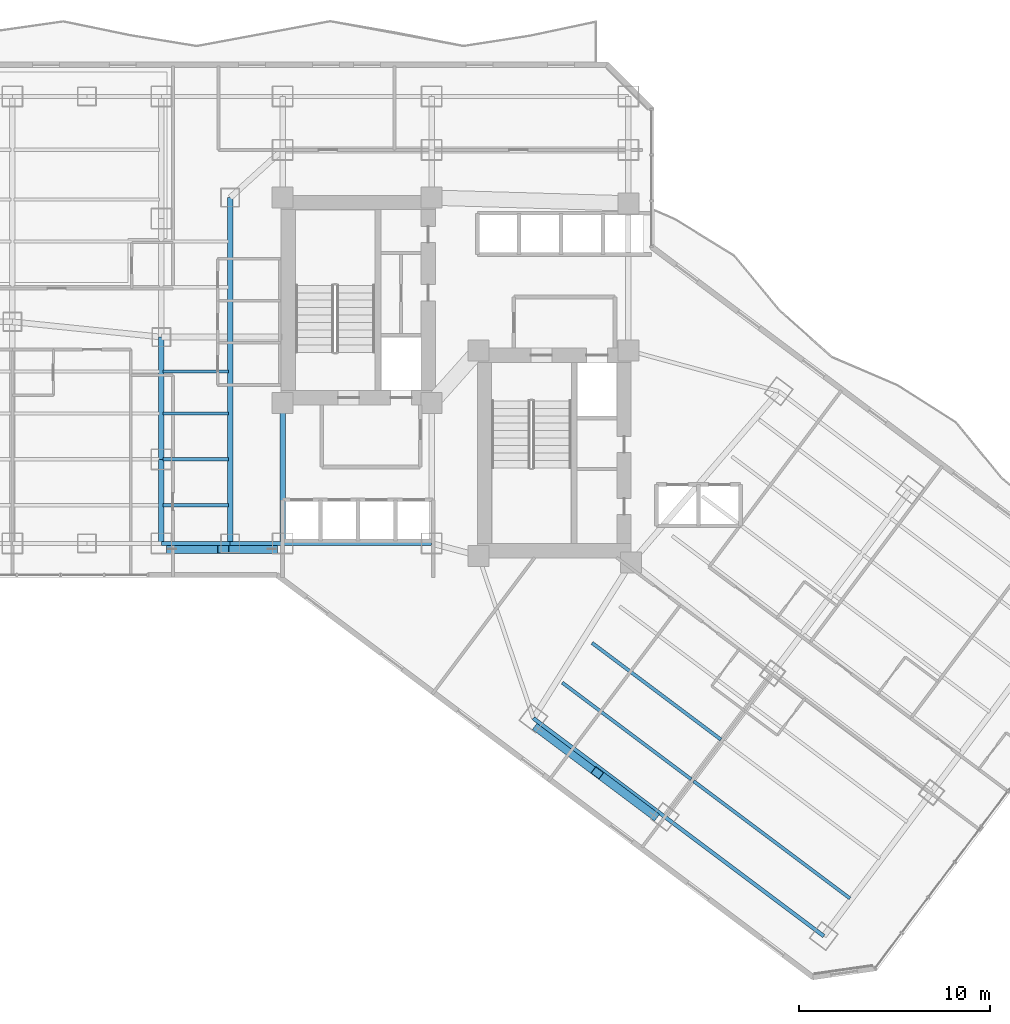
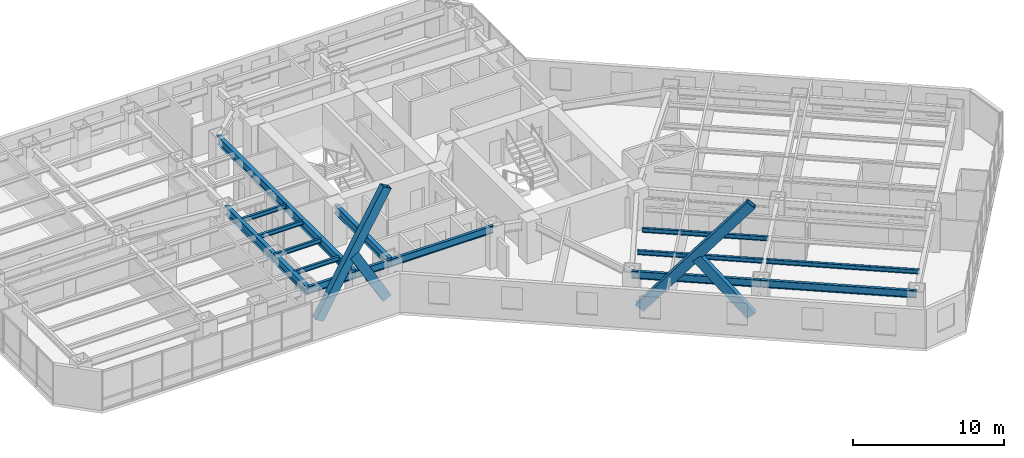
# One storey, part 7 of 33: 16 beams, 4 members.
"""IFC4 building model written with IfcOpenShell, lengths in metres."""

from ifc_helpers import new_model, si_unit, direction, frame, origin, origin_2d, place, context, subcontext, project, spatial, hollow_rectangle, i_section, extrude, material, material_profile, profile_set, type_object, element, save


model = new_model("IFC4")

# Units and contexts
model_context = context("Model", 3, precision=1e-05, world=origin(), true_north=direction((0.0, 1.0)))
body_context = subcontext(model_context, "Body", "Model", "MODEL_VIEW")
ifc_project = project(units=[si_unit("LENGTHUNIT", "METRE"), si_unit("AREAUNIT", "SQUARE_METRE"), si_unit("VOLUMEUNIT", "CUBIC_METRE"), si_unit("PLANEANGLEUNIT", "RADIAN"), si_unit("MASSUNIT", "GRAM", prefix="KILO")], contexts=[model_context])

# Site, building, storey
site_placement = place(None, origin())
site = spatial("IfcSite", under=ifc_project, at=site_placement, CompositionType="ELEMENT")
building_placement = place(site_placement, origin())
building = spatial("IfcBuilding", under=site, at=building_placement, Name="Hatsunagi Terrace Concourse", CompositionType="ELEMENT")
storey_placement = place(building_placement, frame((0.0, 0.0, 53.35009765625)))
storey = spatial("IfcBuildingStorey", under=building, at=storey_placement, Name="L13", CompositionType="ELEMENT", Elevation=53.35009765625)

# Beams
ifc_material_1 = material(Name="Steel SN490B", Category="steel")
ifc_material_profile_1 = material_profile(ifc_material_1, i_section(OverallWidth=0.300048828125, OverallDepth=0.699951171875, WebThickness=0.012939453125, FlangeThickness=0.02392578125, FilletRadius=0.02197265625, at=origin_2d()), Name="H-700x300x13x24")
ifc_profile_set_1 = profile_set([ifc_material_profile_1], Name="Steel SN490B")
beam_type_1 = type_object("IfcBeamType", Name="HotelFloorGirder_H_700x300", PredefinedType="BEAM", material=ifc_profile_set_1)
beam_1_placement = place(storey_placement, frame((25.550048828125, 25.199951171875, 2.77978515625), z_axis=(0.0, 1.0, 0.0), x_axis=(-1.0, 0.0, 0.0)))
element("IfcBeam", 1, at=beam_1_placement, inside=storey, type_object=beam_type_1, Name="Beam G-04 BM-L13-K1CA", PredefinedType="BEAM", context=body_context, shape_type="SweptSolid", body=[
    extrude(i_section(OverallWidth=0.300048828125, OverallDepth=0.699951171875, WebThickness=0.012939453125, FlangeThickness=0.02392578125, FilletRadius=0.02197265625, at=origin_2d()), origin(), (0.0, 0.0, 1.0), 7.35009765625),
])
beam_2_placement = place(storey_placement, frame((22.800048828125, 25.199951171875, 2.77978515625), z_axis=(0.0, 1.0, 0.0), x_axis=(-1.0, 0.0, 0.0)))
element("IfcBeam", 2, at=beam_2_placement, inside=storey, type_object=beam_type_1, Name="Beam G-04 BM-L13-CWNS", PredefinedType="BEAM", context=body_context, shape_type="SweptSolid", body=[
    extrude(i_section(OverallWidth=0.300048828125, OverallDepth=0.699951171875, WebThickness=0.012939453125, FlangeThickness=0.02392578125, FilletRadius=0.02197265625, at=origin_2d()), origin(), (0.0, 0.0, 1.0), 18.10009765625),
])
beam_3_placement = place(storey_placement, frame((19.199951171875, 25.199951171875, 2.77978515625), z_axis=(0.0, 1.0, 0.0), x_axis=(-1.0, 0.0, 0.0)))
element("IfcBeam", 3, at=beam_3_placement, inside=storey, type_object=beam_type_1, Name="Beam G-04 BM-L13-NS-19-25", PredefinedType="BEAM", context=body_context, shape_type="SweptSolid", body=[
    extrude(i_section(OverallWidth=0.300048828125, OverallDepth=0.699951171875, WebThickness=0.012939453125, FlangeThickness=0.02392578125, FilletRadius=0.02197265625, at=origin_2d()), origin(), (0.0, 0.0, 1.0), 4.400146484375),
])
beam_4_placement = place(storey_placement, frame((19.199951171875, 29.60009765625, 2.77978515625), z_axis=(0.0, 1.0, 0.0), x_axis=(-1.0, 0.0, 0.0)))
element("IfcBeam", 4, at=beam_4_placement, inside=storey, type_object=beam_type_1, Name="Beam G-04 BM-L13-NS-19-29", PredefinedType="BEAM", context=body_context, shape_type="SweptSolid", body=[
    extrude(i_section(OverallWidth=0.300048828125, OverallDepth=0.699951171875, WebThickness=0.012939453125, FlangeThickness=0.02392578125, FilletRadius=0.02197265625, at=origin_2d()), origin(), (0.0, 0.0, 1.0), 6.39990234375),
])
ifc_material_2 = material(Name="Steel SN490B", Category="steel")
ifc_material_profile_2 = material_profile(ifc_material_2, i_section(OverallWidth=0.175048828125, OverallDepth=0.35009765625, WebThickness=0.007080078125, FlangeThickness=0.010986328125, FilletRadius=0.012939453125, at=origin_2d()), Name="H-350x175x7x11")
ifc_profile_set_2 = profile_set([ifc_material_profile_2], Name="Steel SN490B")
beam_type_2 = type_object("IfcBeamType", Name="HotelJoist_H_350x175", PredefinedType="JOIST", material=ifc_profile_set_2)
for number, where, z_axis, x_axis, name in (
    (5, (19.284912109375, 27.199951171875, 2.954833984375), (1.0, 0.0, 0.0), (0.0, 1.0, 0.0), "Beam J-02 J-L13-W-19-272"),
    (6, (19.284912109375, 29.60009765625, 2.954833984375), (1.0, 0.0, 0.0), (0.0, 1.0, 0.0), "Beam J-02 J-L13-W-19-296"),
    (7, (19.284912109375, 32.0, 2.954833984375), (1.0, 0.0, 0.0), (0.0, 1.0, 0.0), "Beam J-02 J-L13-W-19-320"),
    (8, (19.284912109375, 34.199951171875, 2.954833984375), (1.0, 0.0, 0.0), (0.0, 1.0, 0.0), "Beam J-02 J-L13-W-19-342"),
):
    element("IfcBeam", number, at=place(storey_placement, frame(where, z_axis=z_axis, x_axis=x_axis)), inside=storey, type_object=beam_type_2, Name=name, PredefinedType="JOIST", context=body_context, shape_type="SweptSolid", body=[
        extrude(i_section(OverallWidth=0.175048828125, OverallDepth=0.35009765625, WebThickness=0.007080078125, FlangeThickness=0.010986328125, FilletRadius=0.012939453125, at=origin_2d()), origin(), (0.0, 0.0, 1.0), 3.43017578125),
    ])
for number, where, z_axis, x_axis, name in (
    (9, (40.18798828125, 17.908935546875, 2.954833984375), (0.800003475366, -0.59999536615, 0.0), (0.59999536615, 0.800003475366, 0.0), "Beam J-02 J-L13-SE-2-46"),
    (10, (41.748046875, 19.989013671875, 2.954833984375), (0.799989573921, -0.600013901187, 0.0), (0.600013901187, 0.799989573921, 0.0), "Beam J-02 J-L13-SE-2-72"),
):
    element("IfcBeam", number, at=place(storey_placement, frame(where, z_axis=z_axis, x_axis=x_axis)), inside=storey, type_object=beam_type_2, Name=name, PredefinedType="JOIST", context=body_context, shape_type="SweptSolid", body=[
        extrude(i_section(OverallWidth=0.175048828125, OverallDepth=0.35009765625, WebThickness=0.007080078125, FlangeThickness=0.010986328125, FilletRadius=0.012939453125, at=origin_2d()), origin(), (0.0, 0.0, 1.0), 8.429931640625),
    ])
beam_5_placement = place(storey_placement, frame((47.068115234375, 12.7490234375, 2.954833984375), z_axis=(0.799997136125, -0.600003818481, 0.0), x_axis=(0.600003818481, 0.799997136125, 0.0)))
element("IfcBeam", 11, at=beam_5_placement, inside=storey, type_object=beam_type_2, Name="Beam J-02 J-L13-SE-3-46", PredefinedType="JOIST", context=body_context, shape_type="SweptSolid", body=[
    extrude(i_section(OverallWidth=0.175048828125, OverallDepth=0.35009765625, WebThickness=0.007080078125, FlangeThickness=0.010986328125, FilletRadius=0.012939453125, at=origin_2d()), origin(), (0.0, 0.0, 1.0), 10.229736328125),
])
ifc_material_3 = material(Name="Steel SN490B", Category="steel")
ifc_material_profile_3 = material_profile(ifc_material_3, i_section(OverallWidth=0.199951171875, OverallDepth=0.60009765625, WebThickness=0.010986328125, FlangeThickness=0.01708984375, FilletRadius=0.01806640625, at=origin_2d()), Name="H-600x200x11x17")
ifc_profile_set_3 = profile_set([ifc_material_profile_3], Name="Steel SN490B")
beam_type_3 = type_object("IfcBeamType", Name="PerimeterSpandrel_H_600x200", PredefinedType="SPANDREL", material=ifc_profile_set_3)
beam_6_placement = place(storey_placement, frame((19.199951171875, 25.199951171875, 2.829833984375), z_axis=(1.0, 0.0, 0.0), x_axis=(0.0, 1.0, 0.0)))
element("IfcBeam", 12, at=beam_6_placement, inside=storey, type_object=beam_type_3, Name="Beam SP-01 BM-L13-WS-19", PredefinedType="SPANDREL", context=body_context, shape_type="SweptSolid", body=[
    extrude(i_section(OverallWidth=0.199951171875, OverallDepth=0.60009765625, WebThickness=0.010986328125, FlangeThickness=0.01708984375, FilletRadius=0.01806640625, at=origin_2d()), origin(), (0.0, 0.0, 1.0), 3.60009765625),
])
beam_7_placement = place(storey_placement, frame((22.800048828125, 25.199951171875, 2.829833984375), z_axis=(1.0, 0.0, 0.0), x_axis=(0.0, 1.0, 0.0)))
element("IfcBeam", 13, at=beam_7_placement, inside=storey, type_object=beam_type_3, Name="Beam SP-01 BM-L13-WS-22", PredefinedType="SPANDREL", context=body_context, shape_type="SweptSolid", body=[
    extrude(i_section(OverallWidth=0.199951171875, OverallDepth=0.60009765625, WebThickness=0.010986328125, FlangeThickness=0.01708984375, FilletRadius=0.01806640625, at=origin_2d()), origin(), (0.0, 0.0, 1.0), 2.75),
])
beam_8_placement = place(storey_placement, frame((25.550048828125, 25.199951171875, 2.829833984375), z_axis=(1.0, 0.0, 0.0), x_axis=(0.0, 1.0, 0.0)))
element("IfcBeam", 14, at=beam_8_placement, inside=storey, type_object=beam_type_3, Name="Beam SP-01 BM-L13-WS-25", PredefinedType="SPANDREL", context=body_context, shape_type="SweptSolid", body=[
    extrude(i_section(OverallWidth=0.199951171875, OverallDepth=0.60009765625, WebThickness=0.010986328125, FlangeThickness=0.01708984375, FilletRadius=0.01806640625, at=origin_2d()), origin(), (0.0, 0.0, 1.0), 7.800048828125),
])
beam_9_placement = place(storey_placement, frame((38.679931640625, 16.0400390625, 2.829833984375), z_axis=(0.799996593451, -0.600004542038, 0.0), x_axis=(0.600004542038, 0.799996593451, 0.0)))
element("IfcBeam", 15, at=beam_9_placement, inside=storey, type_object=beam_type_3, Name="Beam SP-01 BM-L13-SE-SW2", PredefinedType="SPANDREL", context=body_context, shape_type="SweptSolid", body=[
    extrude(i_section(OverallWidth=0.199951171875, OverallDepth=0.60009765625, WebThickness=0.010986328125, FlangeThickness=0.01708984375, FilletRadius=0.01806640625, at=origin_2d()), origin(), (0.0, 0.0, 1.0), 8.60009765625),
])
beam_10_placement = place(storey_placement, frame((45.56005859375, 10.8798828125, 2.829833984375), z_axis=(0.799994365871, -0.600007512099, 0.0), x_axis=(0.600007512099, 0.799994365871, 0.0)))
element("IfcBeam", 16, at=beam_10_placement, inside=storey, type_object=beam_type_3, Name="Beam SP-01 BM-L13-SE-SW3", PredefinedType="SPANDREL", context=body_context, shape_type="SweptSolid", body=[
    extrude(i_section(OverallWidth=0.199951171875, OverallDepth=0.60009765625, WebThickness=0.010986328125, FlangeThickness=0.01708984375, FilletRadius=0.01806640625, at=origin_2d()), origin(), (0.0, 0.0, 1.0), 10.39990234375),
])

# Members
ifc_material_4 = material(Name="Steel SN490B", Category="steel")
ifc_material_profile_4 = material_profile(ifc_material_4, hollow_rectangle(XDim=0.449951171875, YDim=0.699951171875, WallThickness=0.028076171875, at=origin_2d()), Name="RHS-700x450x28")
ifc_profile_set_4 = profile_set([ifc_material_profile_4], Name="Steel SN490B")
member_type = type_object("IfcMemberType", Name="PerimeterXBrace_Lower_RHS_700x450x28", PredefinedType="BRACE", material=ifc_profile_set_4)
member_1_placement = place(storey_placement, frame((19.77490234375, 24.89990234375, 0.43994140625), z_axis=(0.502384720324, 0.0, 0.864644200111), x_axis=(0.0, 1.0, 0.0)))
element("IfcMember", 17, at=member_1_placement, inside=storey, type_object=member_type, Name="Perimeter X-Brace XB-01 XB-L13-W1A", PredefinedType="BRACE", context=body_context, shape_type="SweptSolid", body=[
    extrude(hollow_rectangle(XDim=0.449951171875, YDim=0.699951171875, WallThickness=0.028076171875, at=origin_2d()), origin(), (0.0, 0.0, 1.0), 10.35107421875),
])
member_2_placement = place(storey_placement, frame((22.445068359375, 24.89990234375, 4.7939453125), z_axis=(0.50241736454, 0.0, -0.864625231999), x_axis=(0.0, 1.0, 0.0)))
element("IfcMember", 18, at=member_2_placement, inside=storey, type_object=member_type, Name="Perimeter X-Brace Split Lower XB-01 XB-L13-W1B2", PredefinedType="BRACE", context=body_context, shape_type="SweptSolid", body=[
    extrude(hollow_rectangle(XDim=0.449951171875, YDim=0.699951171875, WallThickness=0.028076171875, at=origin_2d()), origin(), (0.0, 0.0, 1.0), 5.03564453125),
])
member_3_placement = place(storey_placement, frame((38.971923828125, 15.470947265625, 0.43994140625), z_axis=(0.511809244971, -0.383856933728, 0.768573452047), x_axis=(0.6, 0.8, 0.0)))
element("IfcMember", 19, at=member_3_placement, inside=storey, type_object=member_type, Name="Perimeter X-Brace XB-01 XB-L13-SEA", PredefinedType="BRACE", context=body_context, shape_type="SweptSolid", body=[
    extrude(hollow_rectangle(XDim=0.449951171875, YDim=0.699951171875, WallThickness=0.028076171875, at=origin_2d()), origin(), (0.0, 0.0, 1.0), 11.644775390625),
])
member_4_placement = place(storey_placement, frame((42.02392578125, 13.181884765625, 4.806884765625), z_axis=(0.511802980959, -0.383841493485, -0.768585334599), x_axis=(0.599989253469, 0.800008059786, 0.0)))
element("IfcMember", 20, at=member_4_placement, inside=storey, type_object=member_type, Name="Perimeter X-Brace Split Lower XB-01 XB-L13-SEB2", PredefinedType="BRACE", context=body_context, shape_type="SweptSolid", body=[
    extrude(hollow_rectangle(XDim=0.449951171875, YDim=0.699951171875, WallThickness=0.028076171875, at=origin_2d()), origin(), (0.0, 0.0, 1.0), 5.681884765625),
])

save(model, "model.ifc")
